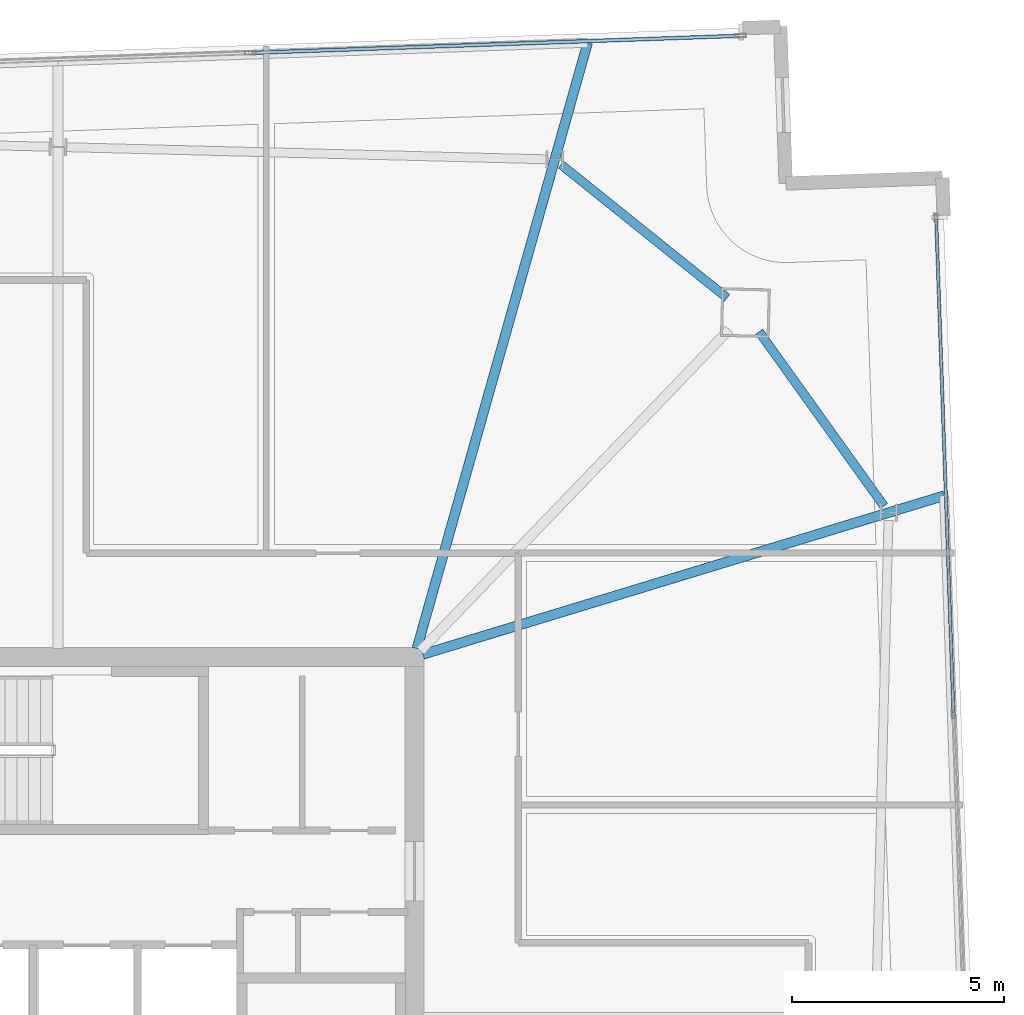
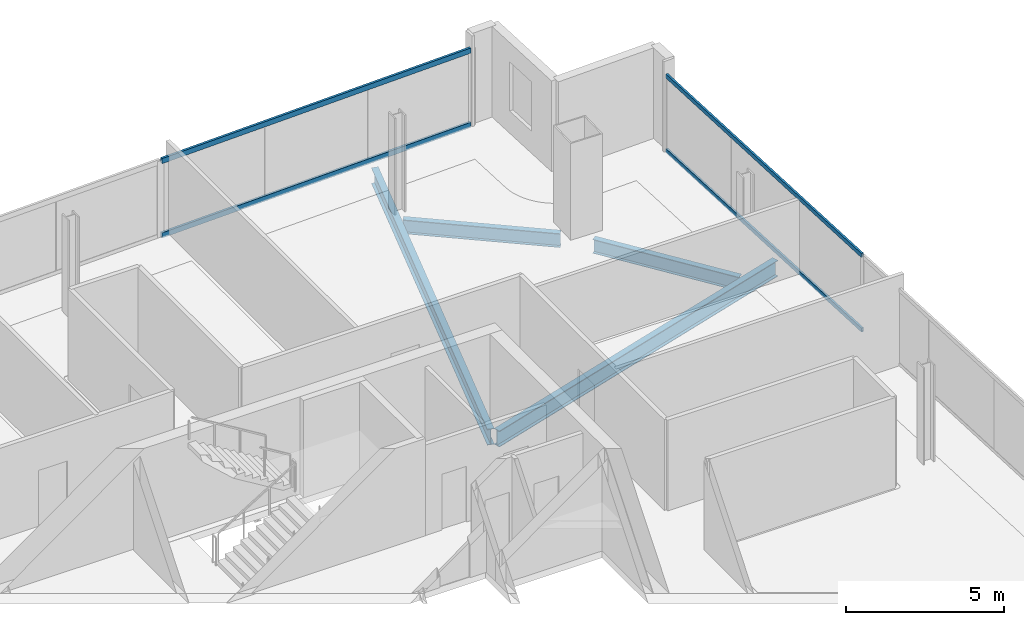
# One storey, part 14 of 23: 4 beams, 4 members, 2 elements without a shape of their own.
"""IFC4 building model written with IfcOpenShell, lengths in metres."""

from ifc_helpers import new_model, si_unit, direction, frame, origin, origin_2d, place, context, subcontext, project, spatial, hollow_rectangle, i_section, extrude, material, material_profile, profile_set, type_object, element, aggregate, save


model = new_model("IFC4")

# Units and contexts
model_context = context("Model", 3, precision=1e-05, world=origin(), true_north=direction((0.0, 1.0)))
body_context = subcontext(model_context, "Body", "Model", "MODEL_VIEW")
ifc_project = project(units=[si_unit("LENGTHUNIT", "METRE"), si_unit("AREAUNIT", "SQUARE_METRE"), si_unit("VOLUMEUNIT", "CUBIC_METRE"), si_unit("PLANEANGLEUNIT", "RADIAN"), si_unit("MASSUNIT", "GRAM", prefix="KILO")], contexts=[model_context])

# Site, building, storey
site_placement = place(None, origin())
site = spatial("IfcSite", under=ifc_project, at=site_placement, CompositionType="ELEMENT")
building_placement = place(site_placement, origin())
building = spatial("IfcBuilding", under=site, at=building_placement, Name="Haldenkirk Collegiate Tower", CompositionType="ELEMENT")
storey_placement = place(building_placement, frame((0.0, 0.0, 336.449951171875)))
storey = spatial("IfcBuildingStorey", under=building, at=storey_placement, Name="L85", CompositionType="ELEMENT", Elevation=336.449951171875)

# Beams
ifc_material_1 = material(Name="Steel ASTM A992 Grade 50", Category="steel")
ifc_material_profile_1 = material_profile(ifc_material_1, i_section(OverallWidth=0.22998046875, OverallDepth=0.616943359375, WebThickness=0.01318359375, FlangeThickness=0.022216796875, at=origin_2d()), Name="W24X94")
ifc_profile_set_1 = profile_set([ifc_material_profile_1], Name="Steel ASTM A992 Grade 50")
beam_type_1 = type_object("IfcBeamType", Name="BM-GIRDER-W24X94", PredefinedType="BEAM", material=ifc_profile_set_1)
beam_1_placement = place(storey_placement, frame((57.506103515625, 37.8076171875, -0.568359375), z_axis=(-0.956646533057, -0.291251456288, 0.0), x_axis=(0.291251456288, -0.956646533057, 0.0)))
element("IfcBeam", 1, at=beam_1_placement, inside=storey, type_object=beam_type_1, Name="L85 primary floor girder 07", PredefinedType="BEAM", context=body_context, shape_type="SweptSolid", body=[
    extrude(i_section(OverallWidth=0.22998046875, OverallDepth=0.616943359375, WebThickness=0.01318359375, FlangeThickness=0.022216796875, at=origin_2d()), origin(), (0.0, 0.0, 1.0), 12.867919921875),
])
beam_2_placement = place(storey_placement, frame((49.088623046875, 48.50048828125, -0.568359375), z_axis=(-0.271380173351, -0.962472234151, 0.0), x_axis=(0.962472234151, -0.271380173351, 0.0)))
element("IfcBeam", 2, at=beam_2_placement, inside=storey, type_object=beam_type_1, Name="L85 primary floor girder 08", PredefinedType="BEAM", context=body_context, shape_type="SweptSolid", body=[
    extrude(i_section(OverallWidth=0.22998046875, OverallDepth=0.616943359375, WebThickness=0.01318359375, FlangeThickness=0.022216796875, at=origin_2d()), origin(), (0.0, 0.0, 1.0), 14.86083984375),
])
ifc_material_profile_2 = material_profile(ifc_material_1, i_section(OverallWidth=0.2099609375, OverallDepth=0.537109375, WebThickness=0.010986328125, FlangeThickness=0.017333984375, at=origin_2d()), Name="W21X68")
ifc_profile_set_2 = profile_set([ifc_material_profile_2], Name="Steel ASTM A992 Grade 50")
beam_type_2 = type_object("IfcBeamType", Name="BM-SPANDREL-W21X68", PredefinedType="SPANDREL", material=ifc_profile_set_2)
beam_3_placement = place(storey_placement, frame((56.085693359375, 37.561279296875, -0.528564453125), z_axis=(-0.582300220922, 0.812973832737, 0.0), x_axis=(-0.812973832737, -0.582300220922, 0.0)))
element("IfcBeam", 3, at=beam_3_placement, inside=storey, type_object=beam_type_2, Name="L85 perimeter spandrel beam 04", PredefinedType="SPANDREL", context=body_context, shape_type="SweptSolid", body=[
    extrude(i_section(OverallWidth=0.2099609375, OverallDepth=0.537109375, WebThickness=0.010986328125, FlangeThickness=0.017333984375, at=origin_2d()), origin(), (0.0, 0.0, 1.0), 5.064453125),
])
beam_4_placement = place(storey_placement, frame((52.380859375, 42.477294921875, -0.528564453125), z_axis=(-0.779721728928, 0.626126205678, 0.0), x_axis=(-0.626126205678, -0.779721728928, 0.0)))
element("IfcBeam", 4, at=beam_4_placement, inside=storey, type_object=beam_type_2, Name="L85 perimeter spandrel beam 05", PredefinedType="SPANDREL", context=body_context, shape_type="SweptSolid", body=[
    extrude(i_section(OverallWidth=0.2099609375, OverallDepth=0.537109375, WebThickness=0.010986328125, FlangeThickness=0.017333984375, at=origin_2d()), origin(), (0.0, 0.0, 1.0), 5.03076171875),
])

# Curtain wall, members
ifc_material_2 = material(Name="Anodised architectural bronze aluminium", Category="aluminium")
curtain_wall_type_1 = type_object("IfcCurtainWallType", Name="CW-SYS2-CONCAVE", PredefinedType="USERDEFINED", material=ifc_material_2)
curtain_wall_1_placement = place(storey_placement, origin())
curtain_wall_1 = element("IfcCurtainWall", 5, at=curtain_wall_1_placement, inside=storey, type_object=curtain_wall_type_1, Name="L85 South concave recessed bronze-anodised curtain wall", ObjectType="UNITISED CURTAIN WALL", PredefinedType="USERDEFINED")
ifc_material_profile_3 = material_profile(ifc_material_2, hollow_rectangle(XDim=0.074951171875, YDim=0.159912109375, WallThickness=0.0048828125, at=origin_2d()), Name="CW-TRN-02")
ifc_profile_set_3 = profile_set([ifc_material_profile_3], Name="Anodised architectural bronze aluminium")
member_type_1 = type_object("IfcMemberType", Name="CW-TRN-02", PredefinedType="USERDEFINED", material=ifc_profile_set_3)
member_1_placement = place(storey_placement, frame((57.318115234375, 44.330078125, 0.03759765625), z_axis=(0.034900956544, -0.999390776039, 0.0), x_axis=(0.999390776039, 0.034900956544, 0.0)))
member_1 = element("IfcMember", 6, at=member_1_placement, type_object=member_type_1, Name="CW-02 transom 1.1", ObjectType="TRANSOM", PredefinedType="USERDEFINED", context=body_context, shape_type="SweptSolid", body=[
    extrude(hollow_rectangle(XDim=0.074951171875, YDim=0.159912109375, WallThickness=0.0048828125, at=origin_2d()), origin(), (0.0, 0.0, 1.0), 11.654052734375),
])
member_2_placement = place(storey_placement, frame((57.318115234375, 44.330078125, 2.91064453125), z_axis=(0.034900956544, -0.999390776039, 0.0), x_axis=(0.999390776039, 0.034900956544, 0.0)))
member_2 = element("IfcMember", 7, at=member_2_placement, type_object=member_type_1, Name="CW-02 transom 1.2", ObjectType="TRANSOM", PredefinedType="USERDEFINED", context=body_context, shape_type="SweptSolid", body=[
    extrude(hollow_rectangle(XDim=0.074951171875, YDim=0.159912109375, WallThickness=0.0048828125, at=origin_2d()), origin(), (0.0, 0.0, 1.0), 11.654052734375),
])
aggregate(curtain_wall_1, [member_1, member_2])

curtain_wall_type_2 = type_object("IfcCurtainWallType", Name="CW-SYS1B-CONVEX-HI", PredefinedType="USERDEFINED", material=ifc_material_2)
curtain_wall_2_placement = place(storey_placement, origin())
curtain_wall_2 = element("IfcCurtainWall", 8, at=curtain_wall_2_placement, inside=storey, type_object=curtain_wall_type_2, Name="L85 Upper tower high-wind convex bronze unitised curtain wall", ObjectType="UNITISED CURTAIN WALL", PredefinedType="USERDEFINED")
ifc_material_profile_4 = material_profile(ifc_material_2, hollow_rectangle(XDim=0.0849609375, YDim=0.199951171875, WallThickness=0.0048828125, at=origin_2d()), Name="CW-TRN-1B")
ifc_profile_set_4 = profile_set([ifc_material_profile_4], Name="Anodised architectural bronze aluminium")
member_type_2 = type_object("IfcMemberType", Name="CW-TRN-1B", PredefinedType="USERDEFINED", material=ifc_profile_set_4)
member_3_placement = place(storey_placement, frame((41.168701171875, 48.263916015625, 0.04248046875), z_axis=(0.999390490746, 0.034909124972, 0.0), x_axis=(-0.034909124972, 0.999390490746, 0.0)))
member_3 = element("IfcMember", 9, at=member_3_placement, type_object=member_type_2, Name="CW-1B transom 3.1", ObjectType="TRANSOM", PredefinedType="USERDEFINED", context=body_context, shape_type="SweptSolid", body=[
    extrude(hollow_rectangle(XDim=0.0849609375, YDim=0.199951171875, WallThickness=0.0048828125, at=origin_2d()), origin(), (0.0, 0.0, 1.0), 11.49755859375),
])
member_4_placement = place(storey_placement, frame((41.168701171875, 48.263916015625, 2.905517578125), z_axis=(0.999390490746, 0.034909124972, 0.0), x_axis=(-0.034909124972, 0.999390490746, 0.0)))
member_4 = element("IfcMember", 10, at=member_4_placement, type_object=member_type_2, Name="CW-1B transom 3.2", ObjectType="TRANSOM", PredefinedType="USERDEFINED", context=body_context, shape_type="SweptSolid", body=[
    extrude(hollow_rectangle(XDim=0.0849609375, YDim=0.199951171875, WallThickness=0.0048828125, at=origin_2d()), origin(), (0.0, 0.0, 1.0), 11.49755859375),
])
aggregate(curtain_wall_2, [member_3, member_4])

save(model, "model.ifc")
